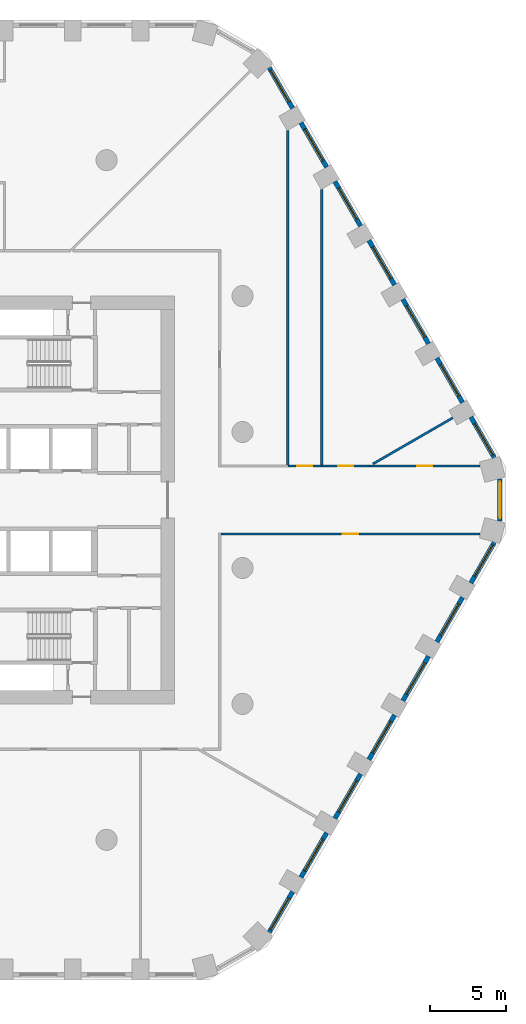
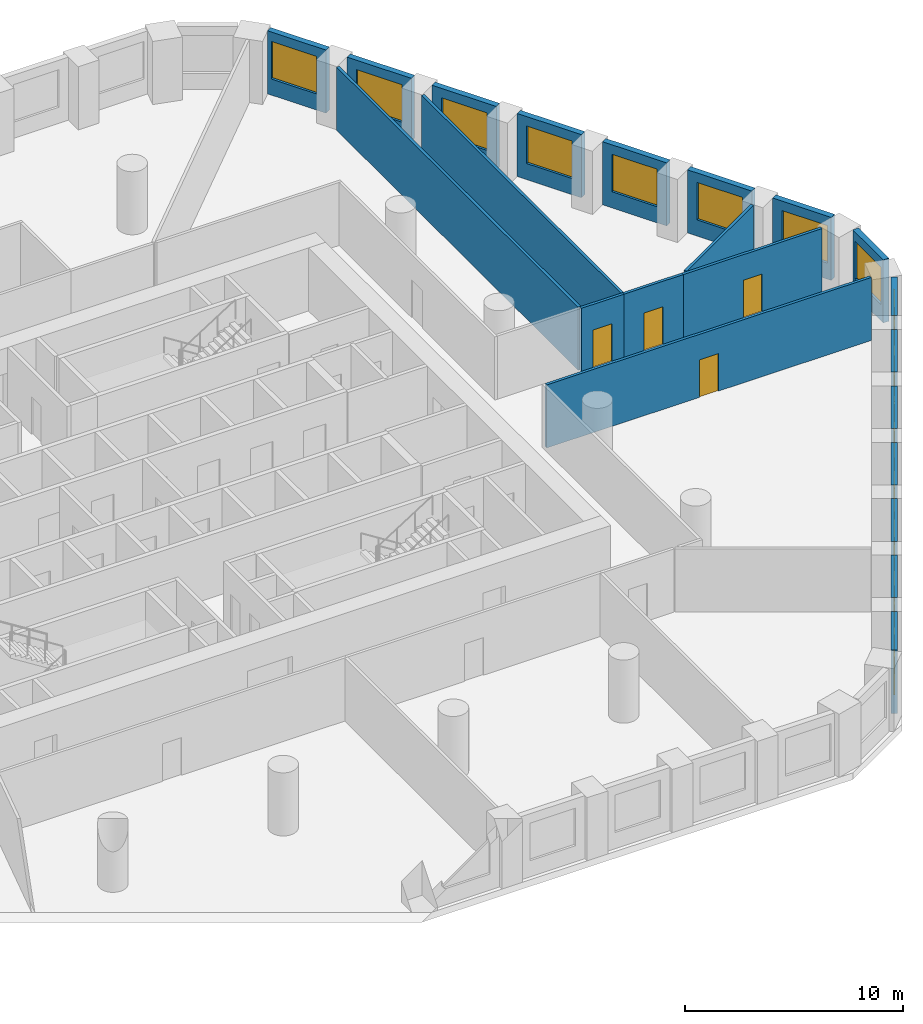
# One storey, part 8 of 10: 22 walls, 15 windows, 4 doors, 19 openings.
"""IFC4 building model written with IfcOpenShell, lengths in metres."""

from ifc_helpers import new_model, si_unit, direction, frame, frame_2d, origin, place, context, subcontext, project, spatial, rectangle, extrude, material, layer, layer_set, type_object, element, fill, save


model = new_model("IFC4")

# Units and contexts
model_context = context("Model", 3, precision=1e-05, world=origin(), true_north=direction((0.0, 1.0)))
body_context = subcontext(model_context, "Body", "Model", "MODEL_VIEW")
ifc_project = project(units=[si_unit("LENGTHUNIT", "METRE"), si_unit("AREAUNIT", "SQUARE_METRE"), si_unit("VOLUMEUNIT", "CUBIC_METRE"), si_unit("PLANEANGLEUNIT", "RADIAN"), si_unit("MASSUNIT", "GRAM", prefix="KILO")], contexts=[model_context])

# Site, building, storey
site_placement = place(None, origin())
site = spatial("IfcSite", under=ifc_project, at=site_placement, CompositionType="ELEMENT")
building_placement = place(site_placement, origin())
building = spatial("IfcBuilding", under=site, at=building_placement, Name="Dhurran Vertical Campus", CompositionType="ELEMENT")
storey_placement = place(building_placement, frame((0.0, 0.0, 61.199951171875)))
storey = spatial("IfcBuildingStorey", under=building, at=storey_placement, Name="L14", CompositionType="ELEMENT", Elevation=61.199951171875)

# Wall, opening, window
ifc_material_1 = material(Name="Precast concrete C50/60", Category="concrete")
ifc_layer_1 = layer(ifc_material_1, 0.300048828125)
ifc_layer_set_1 = layer_set([ifc_layer_1], Name="Precast concrete C50/60")
wall_type_1 = type_object("IfcWallType", Name="Precast spandrel wall 300", PredefinedType="SOLIDWALL", material=ifc_layer_set_1)
wall_1_placement = place(storey_placement, frame((24.2734375, -28.611083984375, 0.0), z_axis=(0.0, 0.0, 1.0), x_axis=(0.499995950774, 0.866027741594, 0.0)))
wall_1 = element("IfcWall", 1, at=wall_1_placement, inside=storey, type_object=wall_type_1, Name="EW1 L14.10", PredefinedType="SOLIDWALL", context=body_context, shape_type="SweptSolid", body=[
    extrude(rectangle(XDim=3.0908203125, YDim=0.300048828125, at=frame_2d((1.54541015625, 0.0))), origin(), (0.0, 0.0, 1.0), 3.525146484375),
])
opening_1_placement = place(wall_1_placement, frame((0.191162109375, 0.0, 0.89990234375)))
opening_1 = element("IfcOpeningElement", 2, at=opening_1_placement, cuts=wall_1, Name="Opening WT1", PredefinedType="OPENING", context=body_context, shape_type="SweptSolid", body=[
    extrude(rectangle(XDim=2.39990234375, YDim=2.10009765625, at=frame_2d((1.199951171875, 1.050048828125))), frame((0.0, 0.159912109375, 0.0), z_axis=(0.0, -1.0, 0.0), x_axis=(1.0, 0.0, 0.0)), (0.0, 0.0, 1.0), 0.320068359375),
])
ifc_material_2 = material(Name="Aluminium frame with solar-control glass", Category="aluminium")
window_type = type_object("IfcWindowType", Name="Punched window 2400 x 2100", PartitioningType="SINGLE_PANEL", PredefinedType="WINDOW", material=ifc_material_2)
window_1_placement = place(opening_1_placement, origin())
window_1 = element("IfcWindow", 3, at=window_1_placement, inside=storey, type_object=window_type, Name="WT1 L14.10", OverallHeight=2.10009765625, OverallWidth=2.39990234375, PartitioningType="SINGLE_PANEL", PredefinedType="WINDOW", context=body_context, shape_type="SweptSolid", body=[
    extrude(rectangle(XDim=2.39990234375, YDim=2.10009765625, at=frame_2d((1.199951171875, 1.050048828125))), frame((0.0, 0.030029296875, 0.0), z_axis=(0.0, -1.0, 0.0), x_axis=(1.0, 0.0, 0.0)), (0.0, 0.0, 1.0), 0.06005859375),
])
fill(opening_1, window_1)

wall_2_placement = place(storey_placement, frame((26.369384765625, -24.98095703125, 0.0), z_axis=(0.0, 0.0, 1.0), x_axis=(0.499993955907, 0.866028893315, 0.0)))
wall_2 = element("IfcWall", 4, at=wall_2_placement, inside=storey, type_object=wall_type_1, Name="EW1 L14.11", PredefinedType="SOLIDWALL", context=body_context, shape_type="SweptSolid", body=[
    extrude(rectangle(XDim=3.39892578125, YDim=0.300048828125, at=frame_2d((1.699462890625, 0.0))), origin(), (0.0, 0.0, 1.0), 3.525146484375),
])
opening_2_placement = place(wall_2_placement, frame((0.49951171875, 0.0, 0.89990234375)))
opening_2 = element("IfcOpeningElement", 5, at=opening_2_placement, cuts=wall_2, Name="Opening WT1", PredefinedType="OPENING", context=body_context, shape_type="SweptSolid", body=[
    extrude(rectangle(XDim=2.39990234375, YDim=2.10009765625, at=frame_2d((1.199951171875, 1.050048828125))), frame((0.0, 0.159912109375, 0.0), z_axis=(0.0, -1.0, 0.0), x_axis=(1.0, 0.0, 0.0)), (0.0, 0.0, 1.0), 0.320068359375),
])
window_2_placement = place(opening_2_placement, origin())
window_2 = element("IfcWindow", 6, at=window_2_placement, inside=storey, type_object=window_type, Name="WT1 L14.11", OverallHeight=2.10009765625, OverallWidth=2.39990234375, PartitioningType="SINGLE_PANEL", PredefinedType="WINDOW", context=body_context, shape_type="SweptSolid", body=[
    extrude(rectangle(XDim=2.39990234375, YDim=2.10009765625, at=frame_2d((1.199951171875, 1.050048828125))), frame((0.0, 0.030029296875, 0.0), z_axis=(0.0, -1.0, 0.0), x_axis=(1.0, 0.0, 0.0)), (0.0, 0.0, 1.0), 0.06005859375),
])
fill(opening_2, window_2)

wall_3_placement = place(storey_placement, frame((28.619384765625, -21.083740234375, 0.0), z_axis=(0.0, 0.0, 1.0), x_axis=(0.499993955907, 0.866028893315, 0.0)))
wall_3 = element("IfcWall", 7, at=wall_3_placement, inside=storey, type_object=wall_type_1, Name="EW1 L14.12", PredefinedType="SOLIDWALL", context=body_context, shape_type="SweptSolid", body=[
    extrude(rectangle(XDim=3.39892578125, YDim=0.300048828125, at=frame_2d((1.699462890625, 0.0))), origin(), (0.0, 0.0, 1.0), 3.525146484375),
])
opening_3_placement = place(wall_3_placement, frame((0.49951171875, 0.0, 0.89990234375)))
opening_3 = element("IfcOpeningElement", 8, at=opening_3_placement, cuts=wall_3, Name="Opening WT1", PredefinedType="OPENING", context=body_context, shape_type="SweptSolid", body=[
    extrude(rectangle(XDim=2.39990234375, YDim=2.10009765625, at=frame_2d((1.199951171875, 1.050048828125))), frame((0.0, 0.159912109375, 0.0), z_axis=(0.0, -1.0, 0.0), x_axis=(1.0, 0.0, 0.0)), (0.0, 0.0, 1.0), 0.320068359375),
])
window_3_placement = place(opening_3_placement, origin())
window_3 = element("IfcWindow", 9, at=window_3_placement, inside=storey, type_object=window_type, Name="WT1 L14.12", OverallHeight=2.10009765625, OverallWidth=2.39990234375, PartitioningType="SINGLE_PANEL", PredefinedType="WINDOW", context=body_context, shape_type="SweptSolid", body=[
    extrude(rectangle(XDim=2.39990234375, YDim=2.10009765625, at=frame_2d((1.199951171875, 1.050048828125))), frame((0.0, 0.030029296875, 0.0), z_axis=(0.0, -1.0, 0.0), x_axis=(1.0, 0.0, 0.0)), (0.0, 0.0, 1.0), 0.06005859375),
])
fill(opening_3, window_3)

wall_4_placement = place(storey_placement, frame((30.869384765625, -17.186767578125, 0.0), z_axis=(0.0, 0.0, 1.0), x_axis=(0.499993955907, 0.866028893315, 0.0)))
wall_4 = element("IfcWall", 10, at=wall_4_placement, inside=storey, type_object=wall_type_1, Name="EW1 L14.13", PredefinedType="SOLIDWALL", context=body_context, shape_type="SweptSolid", body=[
    extrude(rectangle(XDim=3.39892578125, YDim=0.300048828125, at=frame_2d((1.699462890625, 0.0))), origin(), (0.0, 0.0, 1.0), 3.525146484375),
])
opening_4_placement = place(wall_4_placement, frame((0.49951171875, 0.0, 0.89990234375)))
opening_4 = element("IfcOpeningElement", 11, at=opening_4_placement, cuts=wall_4, Name="Opening WT1", PredefinedType="OPENING", context=body_context, shape_type="SweptSolid", body=[
    extrude(rectangle(XDim=2.39990234375, YDim=2.10009765625, at=frame_2d((1.199951171875, 1.050048828125))), frame((0.0, 0.159912109375, 0.0), z_axis=(0.0, -1.0, 0.0), x_axis=(1.0, 0.0, 0.0)), (0.0, 0.0, 1.0), 0.320068359375),
])
window_4_placement = place(opening_4_placement, origin())
window_4 = element("IfcWindow", 12, at=window_4_placement, inside=storey, type_object=window_type, Name="WT1 L14.13", OverallHeight=2.10009765625, OverallWidth=2.39990234375, PartitioningType="SINGLE_PANEL", PredefinedType="WINDOW", context=body_context, shape_type="SweptSolid", body=[
    extrude(rectangle(XDim=2.39990234375, YDim=2.10009765625, at=frame_2d((1.199951171875, 1.050048828125))), frame((0.0, 0.030029296875, 0.0), z_axis=(0.0, -1.0, 0.0), x_axis=(1.0, 0.0, 0.0)), (0.0, 0.0, 1.0), 0.06005859375),
])
fill(opening_4, window_4)

wall_5_placement = place(storey_placement, frame((33.119384765625, -13.28955078125, 0.0), z_axis=(0.0, 0.0, 1.0), x_axis=(0.499993955907, 0.866028893315, 0.0)))
wall_5 = element("IfcWall", 13, at=wall_5_placement, inside=storey, type_object=wall_type_1, Name="EW1 L14.14", PredefinedType="SOLIDWALL", context=body_context, shape_type="SweptSolid", body=[
    extrude(rectangle(XDim=3.39892578125, YDim=0.300048828125, at=frame_2d((1.699462890625, 0.0))), origin(), (0.0, 0.0, 1.0), 3.525146484375),
])
opening_5_placement = place(wall_5_placement, frame((0.49951171875, 0.0, 0.89990234375)))
opening_5 = element("IfcOpeningElement", 14, at=opening_5_placement, cuts=wall_5, Name="Opening WT1", PredefinedType="OPENING", context=body_context, shape_type="SweptSolid", body=[
    extrude(rectangle(XDim=2.39990234375, YDim=2.10009765625, at=frame_2d((1.199951171875, 1.050048828125))), frame((0.0, 0.159912109375, 0.0), z_axis=(0.0, -1.0, 0.0), x_axis=(1.0, 0.0, 0.0)), (0.0, 0.0, 1.0), 0.320068359375),
])
window_5_placement = place(opening_5_placement, origin())
window_5 = element("IfcWindow", 15, at=window_5_placement, inside=storey, type_object=window_type, Name="WT1 L14.14", OverallHeight=2.10009765625, OverallWidth=2.39990234375, PartitioningType="SINGLE_PANEL", PredefinedType="WINDOW", context=body_context, shape_type="SweptSolid", body=[
    extrude(rectangle(XDim=2.39990234375, YDim=2.10009765625, at=frame_2d((1.199951171875, 1.050048828125))), frame((0.0, 0.030029296875, 0.0), z_axis=(0.0, -1.0, 0.0), x_axis=(1.0, 0.0, 0.0)), (0.0, 0.0, 1.0), 0.06005859375),
])
fill(opening_5, window_5)

wall_6_placement = place(storey_placement, frame((35.369384765625, -9.392578125, 0.0), z_axis=(0.0, 0.0, 1.0), x_axis=(0.499993955907, 0.866028893315, 0.0)))
wall_6 = element("IfcWall", 16, at=wall_6_placement, inside=storey, type_object=wall_type_1, Name="EW1 L14.15", PredefinedType="SOLIDWALL", context=body_context, shape_type="SweptSolid", body=[
    extrude(rectangle(XDim=3.39892578125, YDim=0.300048828125, at=frame_2d((1.699462890625, 0.0))), origin(), (0.0, 0.0, 1.0), 3.525146484375),
])
opening_6_placement = place(wall_6_placement, frame((0.49951171875, 0.0, 0.89990234375)))
opening_6 = element("IfcOpeningElement", 17, at=opening_6_placement, cuts=wall_6, Name="Opening WT1", PredefinedType="OPENING", context=body_context, shape_type="SweptSolid", body=[
    extrude(rectangle(XDim=2.39990234375, YDim=2.10009765625, at=frame_2d((1.199951171875, 1.050048828125))), frame((0.0, 0.159912109375, 0.0), z_axis=(0.0, -1.0, 0.0), x_axis=(1.0, 0.0, 0.0)), (0.0, 0.0, 1.0), 0.320068359375),
])
window_6_placement = place(opening_6_placement, origin())
window_6 = element("IfcWindow", 18, at=window_6_placement, inside=storey, type_object=window_type, Name="WT1 L14.15", OverallHeight=2.10009765625, OverallWidth=2.39990234375, PartitioningType="SINGLE_PANEL", PredefinedType="WINDOW", context=body_context, shape_type="SweptSolid", body=[
    extrude(rectangle(XDim=2.39990234375, YDim=2.10009765625, at=frame_2d((1.199951171875, 1.050048828125))), frame((0.0, 0.030029296875, 0.0), z_axis=(0.0, -1.0, 0.0), x_axis=(1.0, 0.0, 0.0)), (0.0, 0.0, 1.0), 0.06005859375),
])
fill(opening_6, window_6)

wall_7_placement = place(storey_placement, frame((37.619384765625, -5.495361328125, 0.0), z_axis=(0.0, 0.0, 1.0), x_axis=(0.49997090907, 0.866042198789, 0.0)))
wall_7 = element("IfcWall", 19, at=wall_7_placement, inside=storey, type_object=wall_type_1, Name="EW1 L14.16", PredefinedType="SOLIDWALL", context=body_context, shape_type="SweptSolid", body=[
    extrude(rectangle(XDim=3.090576171875, YDim=0.300048828125, at=frame_2d((1.54541015625, 0.0))), origin(), (0.0, 0.0, 1.0), 3.525146484375),
])
opening_7_placement = place(wall_7_placement, frame((0.49951171875, 0.0, 0.89990234375)))
opening_7 = element("IfcOpeningElement", 20, at=opening_7_placement, cuts=wall_7, Name="Opening WT1", PredefinedType="OPENING", context=body_context, shape_type="SweptSolid", body=[
    extrude(rectangle(XDim=2.39990234375, YDim=2.10009765625, at=frame_2d((1.199951171875, 1.050048828125))), frame((0.0, 0.159912109375, 0.0), z_axis=(0.0, -1.0, 0.0), x_axis=(1.0, 0.0, 0.0)), (0.0, 0.0, 1.0), 0.320068359375),
])
window_7_placement = place(opening_7_placement, origin())
window_7 = element("IfcWindow", 21, at=window_7_placement, inside=storey, type_object=window_type, Name="WT1 L14.16", OverallHeight=2.10009765625, OverallWidth=2.39990234375, PartitioningType="SINGLE_PANEL", PredefinedType="WINDOW", context=body_context, shape_type="SweptSolid", body=[
    extrude(rectangle(XDim=2.39990234375, YDim=2.10009765625, at=frame_2d((1.199951171875, 1.050048828125))), frame((0.0, 0.030029296875, 0.0), z_axis=(0.0, -1.0, 0.0), x_axis=(1.0, 0.0, 0.0)), (0.0, 0.0, 1.0), 0.06005859375),
])
fill(opening_7, window_7)

wall_8_placement = place(storey_placement, frame((39.547119140625, -1.39111328125, 0.0), z_axis=(0.0, 0.0, 1.0), x_axis=(0.0, 1.0, 0.0)))
wall_8 = element("IfcWall", 22, at=wall_8_placement, inside=storey, type_object=wall_type_1, Name="EW1 L14.17", PredefinedType="SOLIDWALL", context=body_context, shape_type="SweptSolid", body=[
    extrude(rectangle(XDim=2.7822265625, YDim=0.300048828125, at=frame_2d((1.39111328125, 0.0))), origin(), (0.0, 0.0, 1.0), 3.525146484375),
])
opening_8_placement = place(wall_8_placement, frame((0.191162109375, 0.0, 0.89990234375)))
opening_8 = element("IfcOpeningElement", 23, at=opening_8_placement, cuts=wall_8, Name="Opening WT1", PredefinedType="OPENING", context=body_context, shape_type="SweptSolid", body=[
    extrude(rectangle(XDim=2.39990234375, YDim=2.10009765625, at=frame_2d((1.199951171875, 1.050048828125))), frame((0.0, 0.159912109375, 0.0), z_axis=(0.0, -1.0, 0.0), x_axis=(1.0, 0.0, 0.0)), (0.0, 0.0, 1.0), 0.320068359375),
])
window_8_placement = place(opening_8_placement, origin())
window_8 = element("IfcWindow", 24, at=window_8_placement, inside=storey, type_object=window_type, Name="WT1 L14.17", OverallHeight=2.10009765625, OverallWidth=2.39990234375, PartitioningType="SINGLE_PANEL", PredefinedType="WINDOW", context=body_context, shape_type="SweptSolid", body=[
    extrude(rectangle(XDim=2.39990234375, YDim=2.10009765625, at=frame_2d((1.199951171875, 1.050048828125))), frame((0.0, 0.030029296875, 0.0), z_axis=(0.0, -1.0, 0.0), x_axis=(1.0, 0.0, 0.0)), (0.0, 0.0, 1.0), 0.06005859375),
])
fill(opening_8, window_8)

wall_9_placement = place(storey_placement, frame((39.16455078125, 2.81884765625, 0.0), z_axis=(0.0, 0.0, 1.0), x_axis=(-0.49997090907, 0.866042198789, 0.0)))
wall_9 = element("IfcWall", 25, at=wall_9_placement, inside=storey, type_object=wall_type_1, Name="EW1 L14.18", PredefinedType="SOLIDWALL", context=body_context, shape_type="SweptSolid", body=[
    extrude(rectangle(XDim=3.090576171875, YDim=0.300048828125, at=frame_2d((1.54541015625, 0.0))), origin(), (0.0, 0.0, 1.0), 3.525146484375),
])
opening_9_placement = place(wall_9_placement, frame((0.19091796875, 0.0, 0.89990234375)))
opening_9 = element("IfcOpeningElement", 26, at=opening_9_placement, cuts=wall_9, Name="Opening WT1", PredefinedType="OPENING", context=body_context, shape_type="SweptSolid", body=[
    extrude(rectangle(XDim=2.39990234375, YDim=2.10009765625, at=frame_2d((1.199951171875, 1.050048828125))), frame((0.0, 0.159912109375, 0.0), z_axis=(0.0, -1.0, 0.0), x_axis=(1.0, 0.0, 0.0)), (0.0, 0.0, 1.0), 0.320068359375),
])
window_9_placement = place(opening_9_placement, origin())
window_9 = element("IfcWindow", 27, at=window_9_placement, inside=storey, type_object=window_type, Name="WT1 L14.18", OverallHeight=2.10009765625, OverallWidth=2.39990234375, PartitioningType="SINGLE_PANEL", PredefinedType="WINDOW", context=body_context, shape_type="SweptSolid", body=[
    extrude(rectangle(XDim=2.39990234375, YDim=2.10009765625, at=frame_2d((1.199951171875, 1.050048828125))), frame((0.0, 0.030029296875, 0.0), z_axis=(0.0, -1.0, 0.0), x_axis=(1.0, 0.0, 0.0)), (0.0, 0.0, 1.0), 0.06005859375),
])
fill(opening_9, window_9)

wall_10_placement = place(storey_placement, frame((37.06884765625, 6.448974609375, 0.0), z_axis=(0.0, 0.0, 1.0), x_axis=(-0.499993955907, 0.866028893315, 0.0)))
wall_10 = element("IfcWall", 28, at=wall_10_placement, inside=storey, type_object=wall_type_1, Name="EW1 L14.19", PredefinedType="SOLIDWALL", context=body_context, shape_type="SweptSolid", body=[
    extrude(rectangle(XDim=3.39892578125, YDim=0.300048828125, at=frame_2d((1.699462890625, 0.0))), origin(), (0.0, 0.0, 1.0), 3.525146484375),
])
opening_10_placement = place(wall_10_placement, frame((0.49951171875, 0.0, 0.89990234375)))
opening_10 = element("IfcOpeningElement", 29, at=opening_10_placement, cuts=wall_10, Name="Opening WT1", PredefinedType="OPENING", context=body_context, shape_type="SweptSolid", body=[
    extrude(rectangle(XDim=2.39990234375, YDim=2.10009765625, at=frame_2d((1.199951171875, 1.050048828125))), frame((0.0, 0.159912109375, 0.0), z_axis=(0.0, -1.0, 0.0), x_axis=(1.0, 0.0, 0.0)), (0.0, 0.0, 1.0), 0.320068359375),
])
window_10_placement = place(opening_10_placement, origin())
window_10 = element("IfcWindow", 30, at=window_10_placement, inside=storey, type_object=window_type, Name="WT1 L14.19", OverallHeight=2.10009765625, OverallWidth=2.39990234375, PartitioningType="SINGLE_PANEL", PredefinedType="WINDOW", context=body_context, shape_type="SweptSolid", body=[
    extrude(rectangle(XDim=2.39990234375, YDim=2.10009765625, at=frame_2d((1.199951171875, 1.050048828125))), frame((0.0, 0.030029296875, 0.0), z_axis=(0.0, -1.0, 0.0), x_axis=(1.0, 0.0, 0.0)), (0.0, 0.0, 1.0), 0.06005859375),
])
fill(opening_10, window_10)

wall_11_placement = place(storey_placement, frame((34.81884765625, 10.345947265625, 0.0), z_axis=(0.0, 0.0, 1.0), x_axis=(-0.499993955907, 0.866028893315, 0.0)))
wall_11 = element("IfcWall", 31, at=wall_11_placement, inside=storey, type_object=wall_type_1, Name="EW1 L14.20", PredefinedType="SOLIDWALL", context=body_context, shape_type="SweptSolid", body=[
    extrude(rectangle(XDim=3.39892578125, YDim=0.300048828125, at=frame_2d((1.699462890625, 0.0))), origin(), (0.0, 0.0, 1.0), 3.525146484375),
])
opening_11_placement = place(wall_11_placement, frame((0.49951171875, 0.0, 0.89990234375)))
opening_11 = element("IfcOpeningElement", 32, at=opening_11_placement, cuts=wall_11, Name="Opening WT1", PredefinedType="OPENING", context=body_context, shape_type="SweptSolid", body=[
    extrude(rectangle(XDim=2.39990234375, YDim=2.10009765625, at=frame_2d((1.199951171875, 1.050048828125))), frame((0.0, 0.159912109375, 0.0), z_axis=(0.0, -1.0, 0.0), x_axis=(1.0, 0.0, 0.0)), (0.0, 0.0, 1.0), 0.320068359375),
])
window_11_placement = place(opening_11_placement, origin())
window_11 = element("IfcWindow", 33, at=window_11_placement, inside=storey, type_object=window_type, Name="WT1 L14.20", OverallHeight=2.10009765625, OverallWidth=2.39990234375, PartitioningType="SINGLE_PANEL", PredefinedType="WINDOW", context=body_context, shape_type="SweptSolid", body=[
    extrude(rectangle(XDim=2.39990234375, YDim=2.10009765625, at=frame_2d((1.199951171875, 1.050048828125))), frame((0.0, 0.030029296875, 0.0), z_axis=(0.0, -1.0, 0.0), x_axis=(1.0, 0.0, 0.0)), (0.0, 0.0, 1.0), 0.06005859375),
])
fill(opening_11, window_11)

wall_12_placement = place(storey_placement, frame((32.56884765625, 14.2431640625, 0.0), z_axis=(0.0, 0.0, 1.0), x_axis=(-0.499993955907, 0.866028893315, 0.0)))
wall_12 = element("IfcWall", 34, at=wall_12_placement, inside=storey, type_object=wall_type_1, Name="EW1 L14.21", PredefinedType="SOLIDWALL", context=body_context, shape_type="SweptSolid", body=[
    extrude(rectangle(XDim=3.39892578125, YDim=0.300048828125, at=frame_2d((1.699462890625, 0.0))), origin(), (0.0, 0.0, 1.0), 3.525146484375),
])
opening_12_placement = place(wall_12_placement, frame((0.49951171875, 0.0, 0.89990234375)))
opening_12 = element("IfcOpeningElement", 35, at=opening_12_placement, cuts=wall_12, Name="Opening WT1", PredefinedType="OPENING", context=body_context, shape_type="SweptSolid", body=[
    extrude(rectangle(XDim=2.39990234375, YDim=2.10009765625, at=frame_2d((1.199951171875, 1.050048828125))), frame((0.0, 0.159912109375, 0.0), z_axis=(0.0, -1.0, 0.0), x_axis=(1.0, 0.0, 0.0)), (0.0, 0.0, 1.0), 0.320068359375),
])
window_12_placement = place(opening_12_placement, origin())
window_12 = element("IfcWindow", 36, at=window_12_placement, inside=storey, type_object=window_type, Name="WT1 L14.21", OverallHeight=2.10009765625, OverallWidth=2.39990234375, PartitioningType="SINGLE_PANEL", PredefinedType="WINDOW", context=body_context, shape_type="SweptSolid", body=[
    extrude(rectangle(XDim=2.39990234375, YDim=2.10009765625, at=frame_2d((1.199951171875, 1.050048828125))), frame((0.0, 0.030029296875, 0.0), z_axis=(0.0, -1.0, 0.0), x_axis=(1.0, 0.0, 0.0)), (0.0, 0.0, 1.0), 0.06005859375),
])
fill(opening_12, window_12)

wall_13_placement = place(storey_placement, frame((30.31884765625, 18.14013671875, 0.0), z_axis=(0.0, 0.0, 1.0), x_axis=(-0.499993955907, 0.866028893315, 0.0)))
wall_13 = element("IfcWall", 37, at=wall_13_placement, inside=storey, type_object=wall_type_1, Name="EW1 L14.22", PredefinedType="SOLIDWALL", context=body_context, shape_type="SweptSolid", body=[
    extrude(rectangle(XDim=3.39892578125, YDim=0.300048828125, at=frame_2d((1.699462890625, 0.0))), origin(), (0.0, 0.0, 1.0), 3.525146484375),
])
opening_13_placement = place(wall_13_placement, frame((0.49951171875, 0.0, 0.89990234375)))
opening_13 = element("IfcOpeningElement", 38, at=opening_13_placement, cuts=wall_13, Name="Opening WT1", PredefinedType="OPENING", context=body_context, shape_type="SweptSolid", body=[
    extrude(rectangle(XDim=2.39990234375, YDim=2.10009765625, at=frame_2d((1.199951171875, 1.050048828125))), frame((0.0, 0.159912109375, 0.0), z_axis=(0.0, -1.0, 0.0), x_axis=(1.0, 0.0, 0.0)), (0.0, 0.0, 1.0), 0.320068359375),
])
window_13_placement = place(opening_13_placement, origin())
window_13 = element("IfcWindow", 39, at=window_13_placement, inside=storey, type_object=window_type, Name="WT1 L14.22", OverallHeight=2.10009765625, OverallWidth=2.39990234375, PartitioningType="SINGLE_PANEL", PredefinedType="WINDOW", context=body_context, shape_type="SweptSolid", body=[
    extrude(rectangle(XDim=2.39990234375, YDim=2.10009765625, at=frame_2d((1.199951171875, 1.050048828125))), frame((0.0, 0.030029296875, 0.0), z_axis=(0.0, -1.0, 0.0), x_axis=(1.0, 0.0, 0.0)), (0.0, 0.0, 1.0), 0.06005859375),
])
fill(opening_13, window_13)

wall_14_placement = place(storey_placement, frame((28.06884765625, 22.037353515625, 0.0), z_axis=(0.0, 0.0, 1.0), x_axis=(-0.499993955907, 0.866028893315, 0.0)))
wall_14 = element("IfcWall", 40, at=wall_14_placement, inside=storey, type_object=wall_type_1, Name="EW1 L14.23", PredefinedType="SOLIDWALL", context=body_context, shape_type="SweptSolid", body=[
    extrude(rectangle(XDim=3.39892578125, YDim=0.300048828125, at=frame_2d((1.699462890625, 0.0))), origin(), (0.0, 0.0, 1.0), 3.525146484375),
])
opening_14_placement = place(wall_14_placement, frame((0.49951171875, 0.0, 0.89990234375)))
opening_14 = element("IfcOpeningElement", 41, at=opening_14_placement, cuts=wall_14, Name="Opening WT1", PredefinedType="OPENING", context=body_context, shape_type="SweptSolid", body=[
    extrude(rectangle(XDim=2.39990234375, YDim=2.10009765625, at=frame_2d((1.199951171875, 1.050048828125))), frame((0.0, 0.159912109375, 0.0), z_axis=(0.0, -1.0, 0.0), x_axis=(1.0, 0.0, 0.0)), (0.0, 0.0, 1.0), 0.320068359375),
])
window_14_placement = place(opening_14_placement, origin())
window_14 = element("IfcWindow", 42, at=window_14_placement, inside=storey, type_object=window_type, Name="WT1 L14.23", OverallHeight=2.10009765625, OverallWidth=2.39990234375, PartitioningType="SINGLE_PANEL", PredefinedType="WINDOW", context=body_context, shape_type="SweptSolid", body=[
    extrude(rectangle(XDim=2.39990234375, YDim=2.10009765625, at=frame_2d((1.199951171875, 1.050048828125))), frame((0.0, 0.030029296875, 0.0), z_axis=(0.0, -1.0, 0.0), x_axis=(1.0, 0.0, 0.0)), (0.0, 0.0, 1.0), 0.06005859375),
])
fill(opening_14, window_14)

wall_15_placement = place(storey_placement, frame((25.81884765625, 25.934326171875, 0.0), z_axis=(0.0, 0.0, 1.0), x_axis=(-0.499995950774, 0.866027741594, 0.0)))
wall_15 = element("IfcWall", 43, at=wall_15_placement, inside=storey, type_object=wall_type_1, Name="EW1 L14.24", PredefinedType="SOLIDWALL", context=body_context, shape_type="SweptSolid", body=[
    extrude(rectangle(XDim=3.0908203125, YDim=0.300048828125, at=frame_2d((1.54541015625, 0.0))), origin(), (0.0, 0.0, 1.0), 3.525146484375),
])
opening_15_placement = place(wall_15_placement, frame((0.49951171875, 0.0, 0.89990234375)))
opening_15 = element("IfcOpeningElement", 44, at=opening_15_placement, cuts=wall_15, Name="Opening WT1", PredefinedType="OPENING", context=body_context, shape_type="SweptSolid", body=[
    extrude(rectangle(XDim=2.39990234375, YDim=2.10009765625, at=frame_2d((1.199951171875, 1.050048828125))), frame((0.0, 0.159912109375, 0.0), z_axis=(0.0, -1.0, 0.0), x_axis=(1.0, 0.0, 0.0)), (0.0, 0.0, 1.0), 0.320068359375),
])
window_15_placement = place(opening_15_placement, origin())
window_15 = element("IfcWindow", 45, at=window_15_placement, inside=storey, type_object=window_type, Name="WT1 L14.24", OverallHeight=2.10009765625, OverallWidth=2.39990234375, PartitioningType="SINGLE_PANEL", PredefinedType="WINDOW", context=body_context, shape_type="SweptSolid", body=[
    extrude(rectangle(XDim=2.39990234375, YDim=2.10009765625, at=frame_2d((1.199951171875, 1.050048828125))), frame((0.0, 0.030029296875, 0.0), z_axis=(0.0, -1.0, 0.0), x_axis=(1.0, 0.0, 0.0)), (0.0, 0.0, 1.0), 0.06005859375),
])
fill(opening_15, window_15)

# Wall, opening, door
ifc_material_3 = material(Name="Gypsum board corridor wall on steel studs", Category="steel")
ifc_layer_2 = layer(ifc_material_3, 0.14990234375)
ifc_layer_set_2 = layer_set([ifc_layer_2], Name="Gypsum board corridor wall on steel studs")
wall_type_2 = type_object("IfcWallType", Name="fl-CW-150 corridor wall", PredefinedType="PARTITIONING", material=ifc_layer_set_2)
wall_16_placement = place(storey_placement, frame((38.23291015625, -2.25, 0.0), z_axis=(0.0, 0.0, 1.0), x_axis=(-1.0, 0.0, 0.0)))
wall_16 = element("IfcWall", 46, at=wall_16_placement, inside=storey, type_object=wall_type_2, Name="Partition 14-42", PredefinedType="PARTITIONING", context=body_context, shape_type="SweptSolid", body=[
    extrude(rectangle(XDim=17.157958984375, YDim=0.14990234375, at=frame_2d((8.5791015625, 0.0))), origin(), (0.0, 0.0, 1.0), 3.525146484375),
])
opening_16_placement = place(wall_16_placement, frame((8.0791015625, 0.0, 0.0)))
opening_16 = element("IfcOpeningElement", 47, at=opening_16_placement, cuts=wall_16, Name="Opening T03.16", PredefinedType="OPENING", context=body_context, shape_type="SweptSolid", body=[
    extrude(rectangle(XDim=1.0, YDim=2.10009765625, at=frame_2d((0.5, 1.050048828125))), frame((0.0, 0.0849609375, 0.0), z_axis=(0.0, -1.0, 0.0), x_axis=(1.0, 0.0, 0.0)), (0.0, 0.0, 1.0), 0.169921875),
])
ifc_material_4 = material(Name="Solid-core timber door set, fire-rated", Category="wood")
door_type = type_object("IfcDoorType", Name="fl-D-1000x2100", OperationType="SINGLE_SWING_LEFT", PredefinedType="DOOR", material=ifc_material_4)
door_1_placement = place(opening_16_placement, origin())
door_1 = element("IfcDoor", 48, at=door_1_placement, inside=storey, type_object=door_type, Name="Door 14.16", OperationType="SINGLE_SWING_LEFT", OverallHeight=2.10009765625, OverallWidth=1.0, PredefinedType="DOOR", context=body_context, shape_type="SweptSolid", body=[
    extrude(rectangle(XDim=1.0, YDim=2.10009765625, at=frame_2d((0.5, 1.050048828125))), frame((0.0, 0.02490234375, 0.0), z_axis=(0.0, -1.0, 0.0), x_axis=(1.0, 0.0, 0.0)), (0.0, 0.0, 1.0), 0.050048828125),
])
fill(opening_16, door_1)

wall_17_placement = place(storey_placement, frame((25.5, 2.25, 0.0), z_axis=(0.0, 0.0, 1.0), x_axis=(1.0, 0.0, 0.0)))
wall_17 = element("IfcWall", 49, at=wall_17_placement, inside=storey, type_object=wall_type_2, Name="Partition 14-46", PredefinedType="PARTITIONING", context=body_context, shape_type="SweptSolid", body=[
    extrude(rectangle(XDim=2.25, YDim=0.14990234375, at=frame_2d((1.125, 0.0))), origin(), (0.0, 0.0, 1.0), 3.525146484375),
])
opening_17_placement = place(wall_17_placement, frame((0.625, 0.0, 0.0)))
opening_17 = element("IfcOpeningElement", 50, at=opening_17_placement, cuts=wall_17, Name="Opening T03.15", PredefinedType="OPENING", context=body_context, shape_type="SweptSolid", body=[
    extrude(rectangle(XDim=1.0, YDim=2.10009765625, at=frame_2d((0.5, 1.050048828125))), frame((0.0, 0.0849609375, 0.0), z_axis=(0.0, -1.0, 0.0), x_axis=(1.0, 0.0, 0.0)), (0.0, 0.0, 1.0), 0.169921875),
])
door_2_placement = place(opening_17_placement, origin())
door_2 = element("IfcDoor", 51, at=door_2_placement, inside=storey, type_object=door_type, Name="Door 14.15", OperationType="SINGLE_SWING_RIGHT", OverallHeight=2.10009765625, OverallWidth=1.0, PredefinedType="DOOR", context=body_context, shape_type="SweptSolid", body=[
    extrude(rectangle(XDim=1.0, YDim=2.10009765625, at=frame_2d((0.5, 1.050048828125))), frame((0.0, 0.02490234375, 0.0), z_axis=(0.0, -1.0, 0.0), x_axis=(1.0, 0.0, 0.0)), (0.0, 0.0, 1.0), 0.050048828125),
])
fill(opening_17, door_2)

wall_18_placement = place(storey_placement, frame((27.75, 2.25, 0.0), z_axis=(0.0, 0.0, 1.0), x_axis=(1.0, 0.0, 0.0)))
wall_18 = element("IfcWall", 52, at=wall_18_placement, inside=storey, type_object=wall_type_2, Name="Partition 14-48", PredefinedType="PARTITIONING", context=body_context, shape_type="SweptSolid", body=[
    extrude(rectangle(XDim=3.14697265625, YDim=0.14990234375, at=frame_2d((1.573486328125, 0.0))), origin(), (0.0, 0.0, 1.0), 3.525146484375),
])
opening_18_placement = place(wall_18_placement, frame((1.073486328125, 0.0, 0.0)))
opening_18 = element("IfcOpeningElement", 53, at=opening_18_placement, cuts=wall_18, Name="Opening T03.17", PredefinedType="OPENING", context=body_context, shape_type="SweptSolid", body=[
    extrude(rectangle(XDim=1.0, YDim=2.10009765625, at=frame_2d((0.5, 1.050048828125))), frame((0.0, 0.0849609375, 0.0), z_axis=(0.0, -1.0, 0.0), x_axis=(1.0, 0.0, 0.0)), (0.0, 0.0, 1.0), 0.169921875),
])
door_3_placement = place(opening_18_placement, origin())
door_3 = element("IfcDoor", 54, at=door_3_placement, inside=storey, type_object=door_type, Name="Door 14.17", OperationType="SINGLE_SWING_RIGHT", OverallHeight=2.10009765625, OverallWidth=1.0, PredefinedType="DOOR", context=body_context, shape_type="SweptSolid", body=[
    extrude(rectangle(XDim=1.0, YDim=2.10009765625, at=frame_2d((0.5, 1.050048828125))), frame((0.0, 0.02490234375, 0.0), z_axis=(0.0, -1.0, 0.0), x_axis=(1.0, 0.0, 0.0)), (0.0, 0.0, 1.0), 0.050048828125),
])
fill(opening_18, door_3)

wall_19_placement = place(storey_placement, frame((30.89697265625, 2.25, 0.0), z_axis=(0.0, 0.0, 1.0), x_axis=(1.0, 0.0, 0.0)))
wall_19 = element("IfcWall", 55, at=wall_19_placement, inside=storey, type_object=wall_type_2, Name="Partition 14-50", PredefinedType="PARTITIONING", context=body_context, shape_type="SweptSolid", body=[
    extrude(rectangle(XDim=7.3359375, YDim=0.14990234375, at=frame_2d((3.66796875, 0.0))), origin(), (0.0, 0.0, 1.0), 3.525146484375),
])
opening_19_placement = place(wall_19_placement, frame((3.16796875, 0.0, 0.0)))
opening_19 = element("IfcOpeningElement", 56, at=opening_19_placement, cuts=wall_19, Name="Opening T03.18", PredefinedType="OPENING", context=body_context, shape_type="SweptSolid", body=[
    extrude(rectangle(XDim=1.0, YDim=2.10009765625, at=frame_2d((0.5, 1.050048828125))), frame((0.0, 0.0849609375, 0.0), z_axis=(0.0, -1.0, 0.0), x_axis=(1.0, 0.0, 0.0)), (0.0, 0.0, 1.0), 0.169921875),
])
door_4_placement = place(opening_19_placement, origin())
door_4 = element("IfcDoor", 57, at=door_4_placement, inside=storey, type_object=door_type, Name="Door 14.18", OperationType="SINGLE_SWING_RIGHT", OverallHeight=2.10009765625, OverallWidth=1.0, PredefinedType="DOOR", context=body_context, shape_type="SweptSolid", body=[
    extrude(rectangle(XDim=1.0, YDim=2.10009765625, at=frame_2d((0.5, 1.050048828125))), frame((0.0, 0.02490234375, 0.0), z_axis=(0.0, -1.0, 0.0), x_axis=(1.0, 0.0, 0.0)), (0.0, 0.0, 1.0), 0.050048828125),
])
fill(opening_19, door_4)

# Walls
ifc_material_5 = material(Name="Gypsum board partition on steel studs", Category="steel")
ifc_layer_3 = layer(ifc_material_5, 0.14990234375)
ifc_layer_set_3 = layer_set([ifc_layer_3], Name="Gypsum board partition on steel studs")
wall_type_3 = type_object("IfcWallType", Name="fl-PW-150 fixed partition", PredefinedType="PARTITIONING", material=ifc_layer_set_3)
wall_20_placement = place(storey_placement, frame((25.5, 24.45654296875, 0.0), z_axis=(0.0, 0.0, 1.0), x_axis=(0.0, -1.0, 0.0)))
element("IfcWall", 58, at=wall_20_placement, inside=storey, type_object=wall_type_3, Name="Partition 14-45", PredefinedType="PARTITIONING", context=body_context, shape_type="SweptSolid", body=[
    extrude(rectangle(XDim=22.131591796875, YDim=0.14990234375, at=frame_2d((11.06591796875, 0.0))), origin(), (0.0, 0.0, 1.0), 3.525146484375),
])
wall_21_placement = place(storey_placement, frame((27.75, 20.5595703125, 0.0), z_axis=(0.0, 0.0, 1.0), x_axis=(0.0, -1.0, 0.0)))
element("IfcWall", 59, at=wall_21_placement, inside=storey, type_object=wall_type_3, Name="Partition 14-47", PredefinedType="PARTITIONING", context=body_context, shape_type="SweptSolid", body=[
    extrude(rectangle(XDim=18.234619140625, YDim=0.14990234375, at=frame_2d((9.1171875, 0.0))), origin(), (0.0, 0.0, 1.0), 3.525146484375),
])
wall_22_placement = place(storey_placement, frame((36.417236328125, 5.437255859375, 0.0), z_axis=(0.0, 0.0, 1.0), x_axis=(-0.866007603866, -0.500030829096, 0.0)))
element("IfcWall", 60, at=wall_22_placement, inside=storey, type_object=wall_type_3, Name="Partition 14-49", PredefinedType="PARTITIONING", context=body_context, shape_type="SweptSolid", body=[
    extrude(rectangle(XDim=6.09912109375, YDim=0.14990234375, at=frame_2d((3.049560546875, 0.0))), origin(), (0.0, 0.0, 1.0), 3.525146484375),
])

save(model, "model.ifc")
